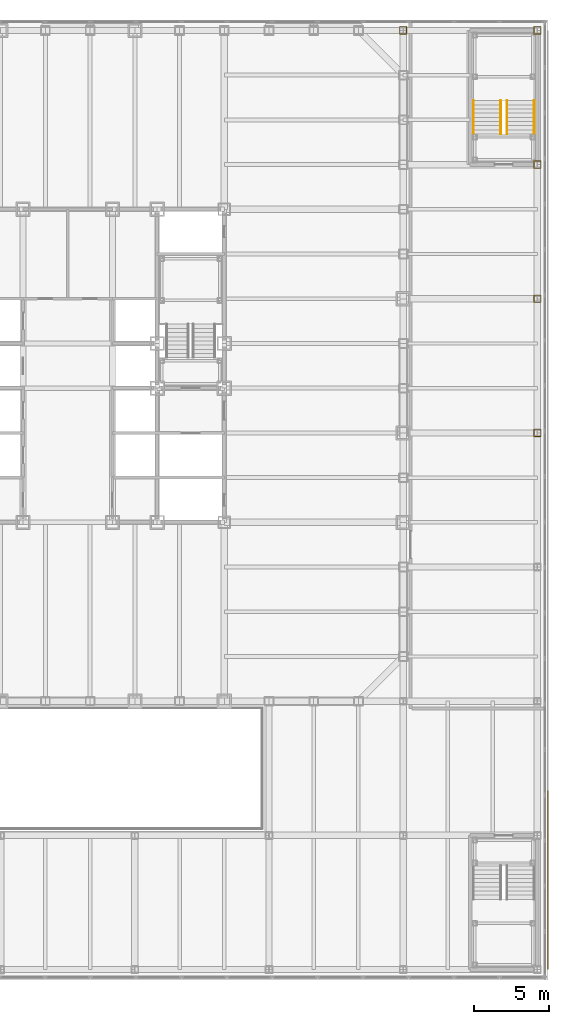
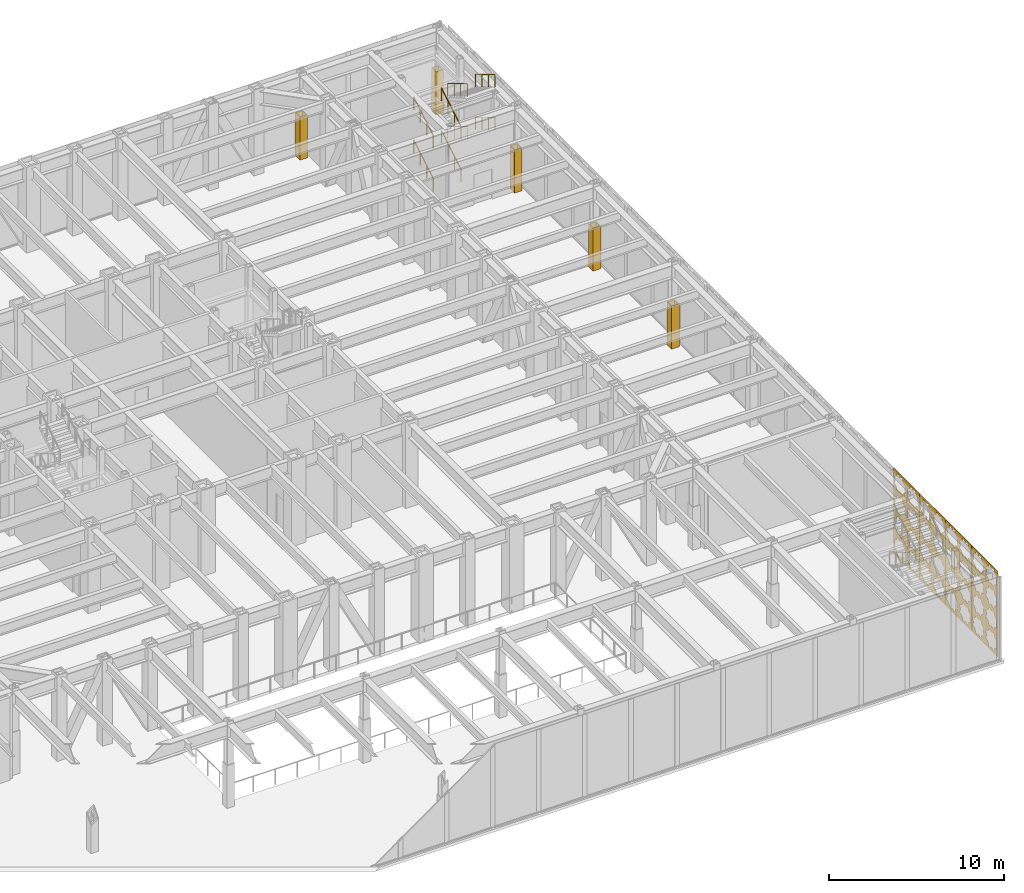
# One storey, part 29 of 32: 8 railings, 5 coverings, 4 shading devices.
"""IFC4 building model written with IfcOpenShell, lengths in metres."""

from ifc_helpers import new_model, si_unit, direction, frame, origin, origin_2d, place, context, subcontext, project, spatial, polyline, circle, outline, extrude, material, layer, layer_set, type_object, element, save


model = new_model("IFC4")

# Units and contexts
model_context = context("Model", 3, precision=1e-05, world=origin(), true_north=direction((0.0, 1.0)))
body_context = subcontext(model_context, "Body", "Model", "MODEL_VIEW")
ifc_project = project(units=[si_unit("LENGTHUNIT", "METRE"), si_unit("AREAUNIT", "SQUARE_METRE"), si_unit("VOLUMEUNIT", "CUBIC_METRE"), si_unit("PLANEANGLEUNIT", "RADIAN"), si_unit("MASSUNIT", "GRAM", prefix="KILO")], contexts=[model_context])

# Site, building, storey
site_placement = place(None, origin())
site = spatial("IfcSite", under=ifc_project, at=site_placement, CompositionType="ELEMENT")
building_placement = place(site_placement, origin())
building = spatial("IfcBuilding", under=site, at=building_placement, Name="Chuquiago Exchange Tower", CompositionType="ELEMENT")
storey_placement = place(building_placement, frame((0.0, 0.0, 13.5)))
storey = spatial("IfcBuildingStorey", under=building, at=storey_placement, Name="L02", CompositionType="ELEMENT", Elevation=13.5)

# Coverings
ifc_material_1 = material(Name="Pale metal sheet casing on rails", Category="aluminium")
ifc_layer_1 = layer(ifc_material_1, 0.050048828125)
ifc_layer_set_1 = layer_set([ifc_layer_1], Name="CS1 column casing 50")
covering_type = type_object("IfcCoveringType", Name="CS1 column casing 50", PredefinedType="CLADDING", material=ifc_layer_set_1)
covering_1_placement = place(storey_placement, origin())
element("IfcCovering", 1, at=covering_1_placement, inside=storey, type_object=covering_type, Name="Column casing L02", PredefinedType="CLADDING", context=body_context, shape_type="SweptSolid", body=[
    extrude(outline(polyline([(44.744384765625, 44.73291015625), (45.255615234375, 44.73291015625), (45.255615234375, 45.26708984375), (44.744384765625, 45.26708984375), (44.744384765625, 44.73291015625)]), holes=[polyline([(44.794189453125, 44.78271484375), (44.794189453125, 45.21728515625), (45.205810546875, 45.21728515625), (45.205810546875, 44.78271484375), (44.794189453125, 44.78271484375)])]), origin(), (0.0, 0.0, 1.0), 3.0),
])
covering_2_placement = place(storey_placement, origin())
element("IfcCovering", 2, at=covering_2_placement, inside=storey, type_object=covering_type, Name="Column casing L02", PredefinedType="CLADDING", context=body_context, shape_type="SweptSolid", body=[
    extrude(outline(polyline([(53.744384765625, 17.73291015625), (54.255615234375, 17.73291015625), (54.255615234375, 18.26708984375), (53.744384765625, 18.26708984375), (53.744384765625, 17.73291015625)]), holes=[polyline([(53.794189453125, 17.78271484375), (53.794189453125, 18.21728515625), (54.205810546875, 18.21728515625), (54.205810546875, 17.78271484375), (53.794189453125, 17.78271484375)])]), origin(), (0.0, 0.0, 1.0), 3.0),
])
covering_3_placement = place(storey_placement, origin())
element("IfcCovering", 3, at=covering_3_placement, inside=storey, type_object=covering_type, Name="Column casing L02", PredefinedType="CLADDING", context=body_context, shape_type="SweptSolid", body=[
    extrude(outline(polyline([(53.744384765625, 26.73291015625), (54.255615234375, 26.73291015625), (54.255615234375, 27.26708984375), (53.744384765625, 27.26708984375), (53.744384765625, 26.73291015625)]), holes=[polyline([(53.794189453125, 26.78271484375), (53.794189453125, 27.21728515625), (54.205810546875, 27.21728515625), (54.205810546875, 26.78271484375), (53.794189453125, 26.78271484375)])]), origin(), (0.0, 0.0, 1.0), 3.0),
])
covering_4_placement = place(storey_placement, origin())
element("IfcCovering", 4, at=covering_4_placement, inside=storey, type_object=covering_type, Name="Column casing L02", PredefinedType="CLADDING", context=body_context, shape_type="SweptSolid", body=[
    extrude(outline(polyline([(53.744384765625, 35.73291015625), (54.255615234375, 35.73291015625), (54.255615234375, 36.26708984375), (53.744384765625, 36.26708984375), (53.744384765625, 35.73291015625)]), holes=[polyline([(53.794189453125, 35.78271484375), (53.794189453125, 36.21728515625), (54.205810546875, 36.21728515625), (54.205810546875, 35.78271484375), (53.794189453125, 35.78271484375)])]), origin(), (0.0, 0.0, 1.0), 3.0),
])
covering_5_placement = place(storey_placement, origin())
element("IfcCovering", 5, at=covering_5_placement, inside=storey, type_object=covering_type, Name="Column casing L02", PredefinedType="CLADDING", context=body_context, shape_type="SweptSolid", body=[
    extrude(outline(polyline([(53.744384765625, 44.73291015625), (54.255615234375, 44.73291015625), (54.255615234375, 45.26708984375), (53.744384765625, 45.26708984375), (53.744384765625, 44.73291015625)]), holes=[polyline([(53.794189453125, 44.78271484375), (53.794189453125, 45.21728515625), (54.205810546875, 45.21728515625), (54.205810546875, 44.78271484375), (53.794189453125, 44.78271484375)])]), origin(), (0.0, 0.0, 1.0), 3.0),
])

# Railings
ifc_material_2 = material(Name="Pale metal handrail", Category="steel")
railing_type = type_object("IfcRailingType", Name="HR1 handrail 900", PredefinedType="HANDRAIL", material=ifc_material_2)
for number, where, name in (
    (6, (51.5400390625, 38.050048828125, 0.166748046875), "Handrail PS4 L02 flight 1"),
    (7, (49.7099609375, 38.050048828125, 0.166748046875), "Handrail PS4 L02 flight 1"),
):
    element("IfcRailing", number, at=place(storey_placement, frame(where)), inside=storey, type_object=railing_type, Name=name, PredefinedType="HANDRAIL", context=body_context, shape_type="SweptSolid", body=[
        extrude(circle(Radius=0.02392578125, at=origin_2d()), frame((0.0, 0.0, 0.8759765625), z_axis=(0.0, 0.859305625298, 0.511462454469), x_axis=(-1.0, 0.0, 0.0)), (0.0, 0.0, 1.0), 2.606689453125),
        extrude(circle(Radius=0.02099609375, at=origin_2d()), origin(), (0.0, 0.0, 1.0), 0.851806640625),
        extrude(circle(Radius=0.02099609375, at=origin_2d()), frame((0.0, 0.74658203125, 0.4443359375)), (0.0, 0.0, 1.0), 0.851806640625),
        extrude(circle(Radius=0.02099609375, at=origin_2d()), frame((0.0, 1.493408203125, 0.888916015625)), (0.0, 0.0, 1.0), 0.851806640625),
        extrude(circle(Radius=0.02099609375, at=origin_2d()), frame((0.0, 2.239990234375, 1.333251953125)), (0.0, 0.0, 1.0), 0.851806640625),
    ])
for number, where, name in (
    (8, (51.9599609375, 40.2900390625, 1.666748046875), "Handrail PS4 L02 flight 2"),
    (9, (53.7900390625, 40.2900390625, 1.666748046875), "Handrail PS4 L02 flight 2"),
):
    element("IfcRailing", number, at=place(storey_placement, frame(where)), inside=storey, type_object=railing_type, Name=name, PredefinedType="HANDRAIL", context=body_context, shape_type="SweptSolid", body=[
        extrude(circle(Radius=0.02392578125, at=origin_2d()), frame((0.0, 0.0, 0.8759765625), z_axis=(0.0, -0.859305625298, 0.511462454469), x_axis=(1.0, 0.0, 0.0)), (0.0, 0.0, 1.0), 2.606689453125),
        extrude(circle(Radius=0.02099609375, at=origin_2d()), origin(), (0.0, 0.0, 1.0), 0.851806640625),
        extrude(circle(Radius=0.02099609375, at=origin_2d()), frame((0.0, -0.74658203125, 0.4443359375)), (0.0, 0.0, 1.0), 0.851806640625),
        extrude(circle(Radius=0.02099609375, at=origin_2d()), frame((0.0, -1.493408203125, 0.888916015625)), (0.0, 0.0, 1.0), 0.851806640625),
        extrude(circle(Radius=0.02099609375, at=origin_2d()), frame((0.0, -2.239990234375, 1.333251953125)), (0.0, 0.0, 1.0), 0.851806640625),
    ])
for number, where, name in (
    (10, (51.5400390625, 38.050048828125, 3.166748046875), "Handrail PS4 L02 flight 3"),
    (11, (49.7099609375, 38.050048828125, 3.166748046875), "Handrail PS4 L02 flight 3"),
):
    element("IfcRailing", number, at=place(storey_placement, frame(where)), inside=storey, type_object=railing_type, Name=name, PredefinedType="HANDRAIL", context=body_context, shape_type="SweptSolid", body=[
        extrude(circle(Radius=0.02392578125, at=origin_2d()), frame((0.0, 0.0, 0.8759765625), z_axis=(0.0, 0.859305625298, 0.511462454469), x_axis=(-1.0, 0.0, 0.0)), (0.0, 0.0, 1.0), 2.606689453125),
        extrude(circle(Radius=0.02099609375, at=origin_2d()), origin(), (0.0, 0.0, 1.0), 0.851806640625),
        extrude(circle(Radius=0.02099609375, at=origin_2d()), frame((0.0, 0.74658203125, 0.4443359375)), (0.0, 0.0, 1.0), 0.851806640625),
        extrude(circle(Radius=0.02099609375, at=origin_2d()), frame((0.0, 1.493408203125, 0.888916015625)), (0.0, 0.0, 1.0), 0.851806640625),
        extrude(circle(Radius=0.02099609375, at=origin_2d()), frame((0.0, 2.239990234375, 1.333251953125)), (0.0, 0.0, 1.0), 0.851806640625),
    ])
for number, where, name in (
    (12, (51.9599609375, 40.2900390625, 4.666748046875), "Handrail PS4 L02 flight 4"),
    (13, (53.7900390625, 40.2900390625, 4.666748046875), "Handrail PS4 L02 flight 4"),
):
    element("IfcRailing", number, at=place(storey_placement, frame(where)), inside=storey, type_object=railing_type, Name=name, PredefinedType="HANDRAIL", context=body_context, shape_type="SweptSolid", body=[
        extrude(circle(Radius=0.02392578125, at=origin_2d()), frame((0.0, 0.0, 0.8759765625), z_axis=(0.0, -0.859305625298, 0.511462454469), x_axis=(1.0, 0.0, 0.0)), (0.0, 0.0, 1.0), 2.606689453125),
        extrude(circle(Radius=0.02099609375, at=origin_2d()), origin(), (0.0, 0.0, 1.0), 0.851806640625),
        extrude(circle(Radius=0.02099609375, at=origin_2d()), frame((0.0, -0.74658203125, 0.4443359375)), (0.0, 0.0, 1.0), 0.851806640625),
        extrude(circle(Radius=0.02099609375, at=origin_2d()), frame((0.0, -1.493408203125, 0.888916015625)), (0.0, 0.0, 1.0), 0.851806640625),
        extrude(circle(Radius=0.02099609375, at=origin_2d()), frame((0.0, -2.239990234375, 1.333251953125)), (0.0, 0.0, 1.0), 0.851806640625),
    ])

# Shading devices
ifc_material_3 = material(Name="Pale metal, perforated in an eight-point star pattern", Category="aluminium")
ifc_layer_2 = layer(ifc_material_3, 0.02001953125)
ifc_layer_set_2 = layer_set([ifc_layer_2], Name="SC1 mashrabiya screen 20")
shading_device_type = type_object("IfcShadingDeviceType", Name="SC1 mashrabiya screen 20", PredefinedType="SHUTTER", material=ifc_layer_set_2)
shading_device_1_placement = place(storey_placement, frame((54.699951171875, -17.989990234375, -0.199951171875), z_axis=(0.0, 0.0, 1.0), x_axis=(0.0, 1.0, 0.0)))
element("IfcShadingDevice", 14, at=shading_device_1_placement, inside=storey, type_object=shading_device_type, Name="Mashrabiya screen L02 E 1", PredefinedType="SHUTTER", context=body_context, shape_type="SweptSolid", body=[
    extrude(outline(polyline([(0.0, 0.0), (2.97998046875, 0.0), (2.97998046875, 6.0), (0.0, 6.0), (0.0, 0.0)]), holes=[polyline([(1.26953125, 0.764892578125), (1.378173828125, 1.02734375), (1.115966796875, 1.135986328125), (1.00732421875, 1.398193359375), (0.7451171875, 1.28955078125), (0.482666015625, 1.398193359375), (0.3740234375, 1.135986328125), (0.11181640625, 1.02734375), (0.220458984375, 0.764892578125), (0.11181640625, 0.502685546875), (0.3740234375, 0.39404296875), (0.482666015625, 0.1318359375), (0.7451171875, 0.240234375), (1.00732421875, 0.1318359375), (1.115966796875, 0.39404296875), (1.378173828125, 0.502685546875), (1.26953125, 0.764892578125)]), polyline([(2.759521484375, 0.764892578125), (2.8681640625, 1.02734375), (2.60595703125, 1.135986328125), (2.497314453125, 1.398193359375), (2.235107421875, 1.28955078125), (1.97265625, 1.398193359375), (1.864013671875, 1.135986328125), (1.601806640625, 1.02734375), (1.71044921875, 0.764892578125), (1.601806640625, 0.502685546875), (1.864013671875, 0.39404296875), (1.97265625, 0.1318359375), (2.235107421875, 0.240234375), (2.497314453125, 0.1318359375), (2.60595703125, 0.39404296875), (2.8681640625, 0.502685546875), (2.759521484375, 0.764892578125)]), polyline([(1.26953125, 2.2548828125), (1.378173828125, 2.517333984375), (1.115966796875, 2.6259765625), (1.00732421875, 2.88818359375), (0.7451171875, 2.779541015625), (0.482666015625, 2.88818359375), (0.3740234375, 2.6259765625), (0.11181640625, 2.517333984375), (0.220458984375, 2.2548828125), (0.11181640625, 1.99267578125), (0.3740234375, 1.884033203125), (0.482666015625, 1.621826171875), (0.7451171875, 1.73046875), (1.00732421875, 1.621826171875), (1.115966796875, 1.884033203125), (1.378173828125, 1.99267578125), (1.26953125, 2.2548828125)]), polyline([(2.759521484375, 2.2548828125), (2.8681640625, 2.517333984375), (2.60595703125, 2.6259765625), (2.497314453125, 2.88818359375), (2.235107421875, 2.779541015625), (1.97265625, 2.88818359375), (1.864013671875, 2.6259765625), (1.601806640625, 2.517333984375), (1.71044921875, 2.2548828125), (1.601806640625, 1.99267578125), (1.864013671875, 1.884033203125), (1.97265625, 1.621826171875), (2.235107421875, 1.73046875), (2.497314453125, 1.621826171875), (2.60595703125, 1.884033203125), (2.8681640625, 1.99267578125), (2.759521484375, 2.2548828125)]), polyline([(1.26953125, 3.744873046875), (1.378173828125, 4.00732421875), (1.115966796875, 4.115966796875), (1.00732421875, 4.378173828125), (0.7451171875, 4.26953125), (0.482666015625, 4.378173828125), (0.3740234375, 4.115966796875), (0.11181640625, 4.00732421875), (0.220458984375, 3.744873046875), (0.11181640625, 3.482666015625), (0.3740234375, 3.3740234375), (0.482666015625, 3.11181640625), (0.7451171875, 3.220458984375), (1.00732421875, 3.11181640625), (1.115966796875, 3.3740234375), (1.378173828125, 3.482666015625), (1.26953125, 3.744873046875)]), polyline([(2.759521484375, 3.744873046875), (2.8681640625, 4.00732421875), (2.60595703125, 4.115966796875), (2.497314453125, 4.378173828125), (2.235107421875, 4.26953125), (1.97265625, 4.378173828125), (1.864013671875, 4.115966796875), (1.601806640625, 4.00732421875), (1.71044921875, 3.744873046875), (1.601806640625, 3.482666015625), (1.864013671875, 3.3740234375), (1.97265625, 3.11181640625), (2.235107421875, 3.220458984375), (2.497314453125, 3.11181640625), (2.60595703125, 3.3740234375), (2.8681640625, 3.482666015625), (2.759521484375, 3.744873046875)]), polyline([(1.26953125, 5.23486328125), (1.378173828125, 5.497314453125), (1.115966796875, 5.60595703125), (1.00732421875, 5.8681640625), (0.7451171875, 5.759521484375), (0.482666015625, 5.8681640625), (0.3740234375, 5.60595703125), (0.11181640625, 5.497314453125), (0.220458984375, 5.23486328125), (0.11181640625, 4.97265625), (0.3740234375, 4.864013671875), (0.482666015625, 4.601806640625), (0.7451171875, 4.71044921875), (1.00732421875, 4.601806640625), (1.115966796875, 4.864013671875), (1.378173828125, 4.97265625), (1.26953125, 5.23486328125)]), polyline([(2.759521484375, 5.23486328125), (2.8681640625, 5.497314453125), (2.60595703125, 5.60595703125), (2.497314453125, 5.8681640625), (2.235107421875, 5.759521484375), (1.97265625, 5.8681640625), (1.864013671875, 5.60595703125), (1.601806640625, 5.497314453125), (1.71044921875, 5.23486328125), (1.601806640625, 4.97265625), (1.864013671875, 4.864013671875), (1.97265625, 4.601806640625), (2.235107421875, 4.71044921875), (2.497314453125, 4.601806640625), (2.60595703125, 4.864013671875), (2.8681640625, 4.97265625), (2.759521484375, 5.23486328125)])]), frame((0.0, 0.0, 0.0), z_axis=(0.0, -1.0, 0.0), x_axis=(1.0, 0.0, 0.0)), (0.0, 0.0, 1.0), 0.02001953125),
])
shading_device_2_placement = place(storey_placement, frame((54.699951171875, -14.989990234375, -0.199951171875), z_axis=(0.0, 0.0, 1.0), x_axis=(0.0, 1.0, 0.0)))
element("IfcShadingDevice", 15, at=shading_device_2_placement, inside=storey, type_object=shading_device_type, Name="Mashrabiya screen L02 E 2", PredefinedType="SHUTTER", context=body_context, shape_type="SweptSolid", body=[
    extrude(outline(polyline([(0.0, 0.0), (2.97998046875, 0.0), (2.97998046875, 6.0), (0.0, 6.0), (0.0, 0.0)]), holes=[polyline([(1.26953125, 0.764892578125), (1.378173828125, 1.02734375), (1.115966796875, 1.135986328125), (1.00732421875, 1.398193359375), (0.7451171875, 1.28955078125), (0.482666015625, 1.398193359375), (0.3740234375, 1.135986328125), (0.11181640625, 1.02734375), (0.220458984375, 0.764892578125), (0.11181640625, 0.502685546875), (0.3740234375, 0.39404296875), (0.482666015625, 0.1318359375), (0.7451171875, 0.240234375), (1.00732421875, 0.1318359375), (1.115966796875, 0.39404296875), (1.378173828125, 0.502685546875), (1.26953125, 0.764892578125)]), polyline([(2.759521484375, 0.764892578125), (2.8681640625, 1.02734375), (2.60595703125, 1.135986328125), (2.497314453125, 1.398193359375), (2.235107421875, 1.28955078125), (1.97265625, 1.398193359375), (1.864013671875, 1.135986328125), (1.601806640625, 1.02734375), (1.71044921875, 0.764892578125), (1.601806640625, 0.502685546875), (1.864013671875, 0.39404296875), (1.97265625, 0.1318359375), (2.235107421875, 0.240234375), (2.497314453125, 0.1318359375), (2.60595703125, 0.39404296875), (2.8681640625, 0.502685546875), (2.759521484375, 0.764892578125)]), polyline([(1.26953125, 2.2548828125), (1.378173828125, 2.517333984375), (1.115966796875, 2.6259765625), (1.00732421875, 2.88818359375), (0.7451171875, 2.779541015625), (0.482666015625, 2.88818359375), (0.3740234375, 2.6259765625), (0.11181640625, 2.517333984375), (0.220458984375, 2.2548828125), (0.11181640625, 1.99267578125), (0.3740234375, 1.884033203125), (0.482666015625, 1.621826171875), (0.7451171875, 1.73046875), (1.00732421875, 1.621826171875), (1.115966796875, 1.884033203125), (1.378173828125, 1.99267578125), (1.26953125, 2.2548828125)]), polyline([(2.759521484375, 2.2548828125), (2.8681640625, 2.517333984375), (2.60595703125, 2.6259765625), (2.497314453125, 2.88818359375), (2.235107421875, 2.779541015625), (1.97265625, 2.88818359375), (1.864013671875, 2.6259765625), (1.601806640625, 2.517333984375), (1.71044921875, 2.2548828125), (1.601806640625, 1.99267578125), (1.864013671875, 1.884033203125), (1.97265625, 1.621826171875), (2.235107421875, 1.73046875), (2.497314453125, 1.621826171875), (2.60595703125, 1.884033203125), (2.8681640625, 1.99267578125), (2.759521484375, 2.2548828125)]), polyline([(1.26953125, 3.744873046875), (1.378173828125, 4.00732421875), (1.115966796875, 4.115966796875), (1.00732421875, 4.378173828125), (0.7451171875, 4.26953125), (0.482666015625, 4.378173828125), (0.3740234375, 4.115966796875), (0.11181640625, 4.00732421875), (0.220458984375, 3.744873046875), (0.11181640625, 3.482666015625), (0.3740234375, 3.3740234375), (0.482666015625, 3.11181640625), (0.7451171875, 3.220458984375), (1.00732421875, 3.11181640625), (1.115966796875, 3.3740234375), (1.378173828125, 3.482666015625), (1.26953125, 3.744873046875)]), polyline([(2.759521484375, 3.744873046875), (2.8681640625, 4.00732421875), (2.60595703125, 4.115966796875), (2.497314453125, 4.378173828125), (2.235107421875, 4.26953125), (1.97265625, 4.378173828125), (1.864013671875, 4.115966796875), (1.601806640625, 4.00732421875), (1.71044921875, 3.744873046875), (1.601806640625, 3.482666015625), (1.864013671875, 3.3740234375), (1.97265625, 3.11181640625), (2.235107421875, 3.220458984375), (2.497314453125, 3.11181640625), (2.60595703125, 3.3740234375), (2.8681640625, 3.482666015625), (2.759521484375, 3.744873046875)]), polyline([(1.26953125, 5.23486328125), (1.378173828125, 5.497314453125), (1.115966796875, 5.60595703125), (1.00732421875, 5.8681640625), (0.7451171875, 5.759521484375), (0.482666015625, 5.8681640625), (0.3740234375, 5.60595703125), (0.11181640625, 5.497314453125), (0.220458984375, 5.23486328125), (0.11181640625, 4.97265625), (0.3740234375, 4.864013671875), (0.482666015625, 4.601806640625), (0.7451171875, 4.71044921875), (1.00732421875, 4.601806640625), (1.115966796875, 4.864013671875), (1.378173828125, 4.97265625), (1.26953125, 5.23486328125)]), polyline([(2.759521484375, 5.23486328125), (2.8681640625, 5.497314453125), (2.60595703125, 5.60595703125), (2.497314453125, 5.8681640625), (2.235107421875, 5.759521484375), (1.97265625, 5.8681640625), (1.864013671875, 5.60595703125), (1.601806640625, 5.497314453125), (1.71044921875, 5.23486328125), (1.601806640625, 4.97265625), (1.864013671875, 4.864013671875), (1.97265625, 4.601806640625), (2.235107421875, 4.71044921875), (2.497314453125, 4.601806640625), (2.60595703125, 4.864013671875), (2.8681640625, 4.97265625), (2.759521484375, 5.23486328125)])]), frame((0.0, 0.0, 0.0), z_axis=(0.0, -1.0, 0.0), x_axis=(1.0, 0.0, 0.0)), (0.0, 0.0, 1.0), 0.02001953125),
])
shading_device_3_placement = place(storey_placement, frame((54.699951171875, -11.989990234375, -0.199951171875), z_axis=(0.0, 0.0, 1.0), x_axis=(0.0, 1.0, 0.0)))
element("IfcShadingDevice", 16, at=shading_device_3_placement, inside=storey, type_object=shading_device_type, Name="Mashrabiya screen L02 E 3", PredefinedType="SHUTTER", context=body_context, shape_type="SweptSolid", body=[
    extrude(outline(polyline([(0.0, 0.0), (2.97998046875, 0.0), (2.97998046875, 6.0), (0.0, 6.0), (0.0, 0.0)]), holes=[polyline([(1.26953125, 0.764892578125), (1.378173828125, 1.02734375), (1.115966796875, 1.135986328125), (1.00732421875, 1.398193359375), (0.7451171875, 1.28955078125), (0.482666015625, 1.398193359375), (0.3740234375, 1.135986328125), (0.11181640625, 1.02734375), (0.220458984375, 0.764892578125), (0.11181640625, 0.502685546875), (0.3740234375, 0.39404296875), (0.482666015625, 0.1318359375), (0.7451171875, 0.240234375), (1.00732421875, 0.1318359375), (1.115966796875, 0.39404296875), (1.378173828125, 0.502685546875), (1.26953125, 0.764892578125)]), polyline([(2.759521484375, 0.764892578125), (2.8681640625, 1.02734375), (2.60595703125, 1.135986328125), (2.497314453125, 1.398193359375), (2.235107421875, 1.28955078125), (1.97265625, 1.398193359375), (1.864013671875, 1.135986328125), (1.601806640625, 1.02734375), (1.71044921875, 0.764892578125), (1.601806640625, 0.502685546875), (1.864013671875, 0.39404296875), (1.97265625, 0.1318359375), (2.235107421875, 0.240234375), (2.497314453125, 0.1318359375), (2.60595703125, 0.39404296875), (2.8681640625, 0.502685546875), (2.759521484375, 0.764892578125)]), polyline([(1.26953125, 2.2548828125), (1.378173828125, 2.517333984375), (1.115966796875, 2.6259765625), (1.00732421875, 2.88818359375), (0.7451171875, 2.779541015625), (0.482666015625, 2.88818359375), (0.3740234375, 2.6259765625), (0.11181640625, 2.517333984375), (0.220458984375, 2.2548828125), (0.11181640625, 1.99267578125), (0.3740234375, 1.884033203125), (0.482666015625, 1.621826171875), (0.7451171875, 1.73046875), (1.00732421875, 1.621826171875), (1.115966796875, 1.884033203125), (1.378173828125, 1.99267578125), (1.26953125, 2.2548828125)]), polyline([(2.759521484375, 2.2548828125), (2.8681640625, 2.517333984375), (2.60595703125, 2.6259765625), (2.497314453125, 2.88818359375), (2.235107421875, 2.779541015625), (1.97265625, 2.88818359375), (1.864013671875, 2.6259765625), (1.601806640625, 2.517333984375), (1.71044921875, 2.2548828125), (1.601806640625, 1.99267578125), (1.864013671875, 1.884033203125), (1.97265625, 1.621826171875), (2.235107421875, 1.73046875), (2.497314453125, 1.621826171875), (2.60595703125, 1.884033203125), (2.8681640625, 1.99267578125), (2.759521484375, 2.2548828125)]), polyline([(1.26953125, 3.744873046875), (1.378173828125, 4.00732421875), (1.115966796875, 4.115966796875), (1.00732421875, 4.378173828125), (0.7451171875, 4.26953125), (0.482666015625, 4.378173828125), (0.3740234375, 4.115966796875), (0.11181640625, 4.00732421875), (0.220458984375, 3.744873046875), (0.11181640625, 3.482666015625), (0.3740234375, 3.3740234375), (0.482666015625, 3.11181640625), (0.7451171875, 3.220458984375), (1.00732421875, 3.11181640625), (1.115966796875, 3.3740234375), (1.378173828125, 3.482666015625), (1.26953125, 3.744873046875)]), polyline([(2.759521484375, 3.744873046875), (2.8681640625, 4.00732421875), (2.60595703125, 4.115966796875), (2.497314453125, 4.378173828125), (2.235107421875, 4.26953125), (1.97265625, 4.378173828125), (1.864013671875, 4.115966796875), (1.601806640625, 4.00732421875), (1.71044921875, 3.744873046875), (1.601806640625, 3.482666015625), (1.864013671875, 3.3740234375), (1.97265625, 3.11181640625), (2.235107421875, 3.220458984375), (2.497314453125, 3.11181640625), (2.60595703125, 3.3740234375), (2.8681640625, 3.482666015625), (2.759521484375, 3.744873046875)]), polyline([(1.26953125, 5.23486328125), (1.378173828125, 5.497314453125), (1.115966796875, 5.60595703125), (1.00732421875, 5.8681640625), (0.7451171875, 5.759521484375), (0.482666015625, 5.8681640625), (0.3740234375, 5.60595703125), (0.11181640625, 5.497314453125), (0.220458984375, 5.23486328125), (0.11181640625, 4.97265625), (0.3740234375, 4.864013671875), (0.482666015625, 4.601806640625), (0.7451171875, 4.71044921875), (1.00732421875, 4.601806640625), (1.115966796875, 4.864013671875), (1.378173828125, 4.97265625), (1.26953125, 5.23486328125)]), polyline([(2.759521484375, 5.23486328125), (2.8681640625, 5.497314453125), (2.60595703125, 5.60595703125), (2.497314453125, 5.8681640625), (2.235107421875, 5.759521484375), (1.97265625, 5.8681640625), (1.864013671875, 5.60595703125), (1.601806640625, 5.497314453125), (1.71044921875, 5.23486328125), (1.601806640625, 4.97265625), (1.864013671875, 4.864013671875), (1.97265625, 4.601806640625), (2.235107421875, 4.71044921875), (2.497314453125, 4.601806640625), (2.60595703125, 4.864013671875), (2.8681640625, 4.97265625), (2.759521484375, 5.23486328125)])]), frame((0.0, 0.0, 0.0), z_axis=(0.0, -1.0, 0.0), x_axis=(1.0, 0.0, 0.0)), (0.0, 0.0, 1.0), 0.02001953125),
])
shading_device_4_placement = place(storey_placement, frame((54.699951171875, -8.989990234375, -0.199951171875), z_axis=(0.0, 0.0, 1.0), x_axis=(0.0, 1.0, 0.0)))
element("IfcShadingDevice", 17, at=shading_device_4_placement, inside=storey, type_object=shading_device_type, Name="Mashrabiya screen L02 E 4", PredefinedType="SHUTTER", context=body_context, shape_type="SweptSolid", body=[
    extrude(outline(polyline([(0.0, 0.0), (2.97998046875, 0.0), (2.97998046875, 6.0), (0.0, 6.0), (0.0, 0.0)]), holes=[polyline([(1.26953125, 0.764892578125), (1.378173828125, 1.02734375), (1.115966796875, 1.135986328125), (1.00732421875, 1.398193359375), (0.7451171875, 1.28955078125), (0.482666015625, 1.398193359375), (0.3740234375, 1.135986328125), (0.11181640625, 1.02734375), (0.220458984375, 0.764892578125), (0.11181640625, 0.502685546875), (0.3740234375, 0.39404296875), (0.482666015625, 0.1318359375), (0.7451171875, 0.240234375), (1.00732421875, 0.1318359375), (1.115966796875, 0.39404296875), (1.378173828125, 0.502685546875), (1.26953125, 0.764892578125)]), polyline([(2.759521484375, 0.764892578125), (2.8681640625, 1.02734375), (2.60595703125, 1.135986328125), (2.497314453125, 1.398193359375), (2.235107421875, 1.28955078125), (1.97265625, 1.398193359375), (1.864013671875, 1.135986328125), (1.601806640625, 1.02734375), (1.71044921875, 0.764892578125), (1.601806640625, 0.502685546875), (1.864013671875, 0.39404296875), (1.97265625, 0.1318359375), (2.235107421875, 0.240234375), (2.497314453125, 0.1318359375), (2.60595703125, 0.39404296875), (2.8681640625, 0.502685546875), (2.759521484375, 0.764892578125)]), polyline([(1.26953125, 2.2548828125), (1.378173828125, 2.517333984375), (1.115966796875, 2.6259765625), (1.00732421875, 2.88818359375), (0.7451171875, 2.779541015625), (0.482666015625, 2.88818359375), (0.3740234375, 2.6259765625), (0.11181640625, 2.517333984375), (0.220458984375, 2.2548828125), (0.11181640625, 1.99267578125), (0.3740234375, 1.884033203125), (0.482666015625, 1.621826171875), (0.7451171875, 1.73046875), (1.00732421875, 1.621826171875), (1.115966796875, 1.884033203125), (1.378173828125, 1.99267578125), (1.26953125, 2.2548828125)]), polyline([(2.759521484375, 2.2548828125), (2.8681640625, 2.517333984375), (2.60595703125, 2.6259765625), (2.497314453125, 2.88818359375), (2.235107421875, 2.779541015625), (1.97265625, 2.88818359375), (1.864013671875, 2.6259765625), (1.601806640625, 2.517333984375), (1.71044921875, 2.2548828125), (1.601806640625, 1.99267578125), (1.864013671875, 1.884033203125), (1.97265625, 1.621826171875), (2.235107421875, 1.73046875), (2.497314453125, 1.621826171875), (2.60595703125, 1.884033203125), (2.8681640625, 1.99267578125), (2.759521484375, 2.2548828125)]), polyline([(1.26953125, 3.744873046875), (1.378173828125, 4.00732421875), (1.115966796875, 4.115966796875), (1.00732421875, 4.378173828125), (0.7451171875, 4.26953125), (0.482666015625, 4.378173828125), (0.3740234375, 4.115966796875), (0.11181640625, 4.00732421875), (0.220458984375, 3.744873046875), (0.11181640625, 3.482666015625), (0.3740234375, 3.3740234375), (0.482666015625, 3.11181640625), (0.7451171875, 3.220458984375), (1.00732421875, 3.11181640625), (1.115966796875, 3.3740234375), (1.378173828125, 3.482666015625), (1.26953125, 3.744873046875)]), polyline([(2.759521484375, 3.744873046875), (2.8681640625, 4.00732421875), (2.60595703125, 4.115966796875), (2.497314453125, 4.378173828125), (2.235107421875, 4.26953125), (1.97265625, 4.378173828125), (1.864013671875, 4.115966796875), (1.601806640625, 4.00732421875), (1.71044921875, 3.744873046875), (1.601806640625, 3.482666015625), (1.864013671875, 3.3740234375), (1.97265625, 3.11181640625), (2.235107421875, 3.220458984375), (2.497314453125, 3.11181640625), (2.60595703125, 3.3740234375), (2.8681640625, 3.482666015625), (2.759521484375, 3.744873046875)]), polyline([(1.26953125, 5.23486328125), (1.378173828125, 5.497314453125), (1.115966796875, 5.60595703125), (1.00732421875, 5.8681640625), (0.7451171875, 5.759521484375), (0.482666015625, 5.8681640625), (0.3740234375, 5.60595703125), (0.11181640625, 5.497314453125), (0.220458984375, 5.23486328125), (0.11181640625, 4.97265625), (0.3740234375, 4.864013671875), (0.482666015625, 4.601806640625), (0.7451171875, 4.71044921875), (1.00732421875, 4.601806640625), (1.115966796875, 4.864013671875), (1.378173828125, 4.97265625), (1.26953125, 5.23486328125)]), polyline([(2.759521484375, 5.23486328125), (2.8681640625, 5.497314453125), (2.60595703125, 5.60595703125), (2.497314453125, 5.8681640625), (2.235107421875, 5.759521484375), (1.97265625, 5.8681640625), (1.864013671875, 5.60595703125), (1.601806640625, 5.497314453125), (1.71044921875, 5.23486328125), (1.601806640625, 4.97265625), (1.864013671875, 4.864013671875), (1.97265625, 4.601806640625), (2.235107421875, 4.71044921875), (2.497314453125, 4.601806640625), (2.60595703125, 4.864013671875), (2.8681640625, 4.97265625), (2.759521484375, 5.23486328125)])]), frame((0.0, 0.0, 0.0), z_axis=(0.0, -1.0, 0.0), x_axis=(1.0, 0.0, 0.0)), (0.0, 0.0, 1.0), 0.02001953125),
])

save(model, "model.ifc")
